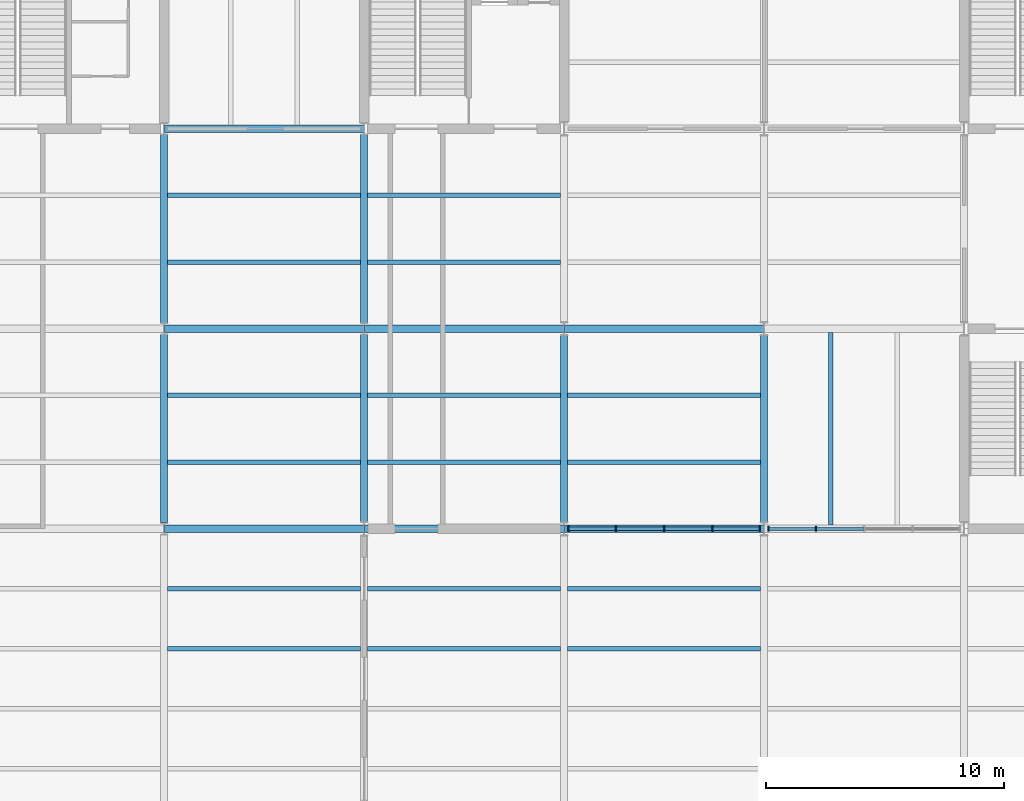
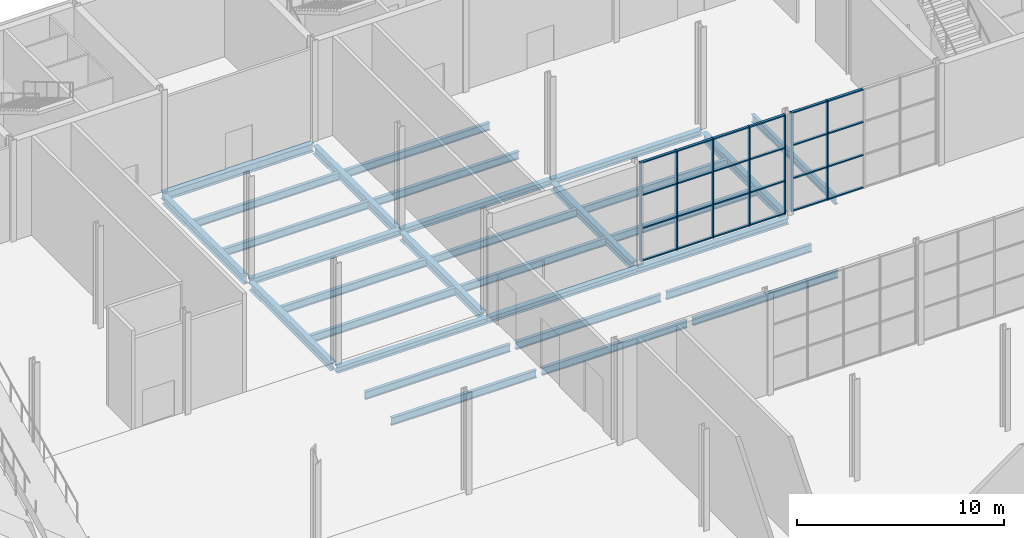
# One storey, part 23 of 55: 31 members, 30 beams, 2 elements without a shape of their own.
"""IFC4 building model written with IfcOpenShell, lengths in metres."""

from ifc_helpers import new_model, si_unit, direction, frame, origin, origin_2d, place, context, subcontext, project, spatial, rectangle, i_section, extrude, material, layer, layer_set, material_profile, profile_set, type_object, element, aggregate, save


model = new_model("IFC4")

# Units and contexts
model_context = context("Model", 3, precision=1e-05, world=origin(), true_north=direction((0.0, 1.0)))
body_context = subcontext(model_context, "Body", "Model", "MODEL_VIEW")
ifc_project = project(units=[si_unit("LENGTHUNIT", "METRE"), si_unit("AREAUNIT", "SQUARE_METRE"), si_unit("VOLUMEUNIT", "CUBIC_METRE"), si_unit("PLANEANGLEUNIT", "RADIAN"), si_unit("MASSUNIT", "GRAM", prefix="KILO")], contexts=[model_context])

# Site, building, storey
site_placement = place(None, origin())
site = spatial("IfcSite", under=ifc_project, at=site_placement, CompositionType="ELEMENT")
building_placement = place(site_placement, origin())
building = spatial("IfcBuilding", under=site, at=building_placement, Name="Galleria Vessillo Department Store", CompositionType="ELEMENT")
storey_placement = place(building_placement, origin())
storey = spatial("IfcBuildingStorey", under=building, at=storey_placement, Name="L00", CompositionType="ELEMENT", Elevation=0.0)

# Curtain wall, members
ifc_material_1 = material(Name="Aluminium and glass curtain wall", Category="aluminium")
ifc_layer = layer(ifc_material_1, 0.199951171875)
ifc_layer_set = layer_set([ifc_layer], Name="Aluminium and glass curtain wall")
curtain_wall_type = type_object("IfcCurtainWallType", Name="Arcade curtain wall CW1 2100 module", PredefinedType="NOTDEFINED", material=ifc_layer_set)
curtain_wall_1_placement = place(storey_placement, origin())
curtain_wall_1 = element("IfcCurtainWall", 1, at=curtain_wall_1_placement, inside=storey, type_object=curtain_wall_type, Name="Arcade curtain wall CW1 2100 module AI-AE-N-L00-01", PredefinedType="NOTDEFINED")
ifc_material_2 = material(Name="Aluminium alloy 6063 T6", Category="aluminium")
ifc_material_profile_1 = material_profile(ifc_material_2, rectangle(XDim=0.199951171875, YDim=0.06005859375, at=origin_2d()), Name="AL 60x200")
ifc_profile_set_1 = profile_set([ifc_material_profile_1], Name="Aluminium alloy 6063 T6")
member_type_1 = type_object("IfcMemberType", Name="Aluminium mullion 60 x 200", PredefinedType="MULLION", material=ifc_profile_set_1)
member_1_placement = place(storey_placement, frame((84.18310546875, 37.800048828125, 0.0), z_axis=(0.0, 0.0, 1.0), x_axis=(0.0, 1.0, 0.0)))
member_1 = element("IfcMember", 2, at=member_1_placement, type_object=member_type_1, Name="CW1 mullion 1", PredefinedType="MULLION", context=body_context, shape_type="SweptSolid", body=[
    extrude(rectangle(XDim=0.199951171875, YDim=0.06005859375, at=origin_2d()), origin(), (0.0, 0.0, 1.0), 5.85009765625),
])
member_2_placement = place(storey_placement, frame((86.176513671875, 37.800048828125, 0.0), z_axis=(0.0, 0.0, 1.0), x_axis=(0.0, 1.0, 0.0)))
member_2 = element("IfcMember", 3, at=member_2_placement, type_object=member_type_1, Name="CW1 mullion 2", PredefinedType="MULLION", context=body_context, shape_type="SweptSolid", body=[
    extrude(rectangle(XDim=0.199951171875, YDim=0.06005859375, at=origin_2d()), origin(), (0.0, 0.0, 1.0), 5.85009765625),
])
member_3_placement = place(storey_placement, frame((88.199951171875, 37.800048828125, 0.0), z_axis=(0.0, 0.0, 1.0), x_axis=(0.0, 1.0, 0.0)))
member_3 = element("IfcMember", 4, at=member_3_placement, type_object=member_type_1, Name="CW1 mullion 3", PredefinedType="MULLION", context=body_context, shape_type="SweptSolid", body=[
    extrude(rectangle(XDim=0.199951171875, YDim=0.06005859375, at=origin_2d()), origin(), (0.0, 0.0, 1.0), 5.85009765625),
])
member_4_placement = place(storey_placement, frame((90.223388671875, 37.800048828125, 0.0), z_axis=(0.0, 0.0, 1.0), x_axis=(0.0, 1.0, 0.0)))
member_4 = element("IfcMember", 5, at=member_4_placement, type_object=member_type_1, Name="CW1 mullion 4", PredefinedType="MULLION", context=body_context, shape_type="SweptSolid", body=[
    extrude(rectangle(XDim=0.199951171875, YDim=0.06005859375, at=origin_2d()), origin(), (0.0, 0.0, 1.0), 5.85009765625),
])
member_5_placement = place(storey_placement, frame((92.216796875, 37.800048828125, 0.0), z_axis=(0.0, 0.0, 1.0), x_axis=(0.0, 1.0, 0.0)))
member_5 = element("IfcMember", 6, at=member_5_placement, type_object=member_type_1, Name="CW1 mullion 5", PredefinedType="MULLION", context=body_context, shape_type="SweptSolid", body=[
    extrude(rectangle(XDim=0.199951171875, YDim=0.06005859375, at=origin_2d()), origin(), (0.0, 0.0, 1.0), 5.85009765625),
])

curtain_wall_2_placement = place(storey_placement, origin())
curtain_wall_2 = element("IfcCurtainWall", 7, at=curtain_wall_2_placement, inside=storey, type_object=curtain_wall_type, Name="Arcade curtain wall CW1 2100 module AI-AE-N-L00-02", PredefinedType="NOTDEFINED")
member_6_placement = place(storey_placement, frame((92.5830078125, 37.800048828125, 0.0), z_axis=(0.0, 0.0, 1.0), x_axis=(0.0, 1.0, 0.0)))
member_6 = element("IfcMember", 8, at=member_6_placement, type_object=member_type_1, Name="CW1 mullion 1", PredefinedType="MULLION", context=body_context, shape_type="SweptSolid", body=[
    extrude(rectangle(XDim=0.199951171875, YDim=0.06005859375, at=origin_2d()), origin(), (0.0, 0.0, 1.0), 5.85009765625),
])
member_7_placement = place(storey_placement, frame((94.576416015625, 37.800048828125, 0.0), z_axis=(0.0, 0.0, 1.0), x_axis=(0.0, 1.0, 0.0)))
member_7 = element("IfcMember", 9, at=member_7_placement, type_object=member_type_1, Name="CW1 mullion 2", PredefinedType="MULLION", context=body_context, shape_type="SweptSolid", body=[
    extrude(rectangle(XDim=0.199951171875, YDim=0.06005859375, at=origin_2d()), origin(), (0.0, 0.0, 1.0), 5.85009765625),
])

# Member
ifc_material_3 = material(Name="Aluminium alloy 6063 T6", Category="aluminium")
ifc_material_profile_2 = material_profile(ifc_material_3, rectangle(XDim=0.139892578125, YDim=0.070068359375, at=origin_2d()), Name="AL 70x140")
ifc_profile_set_2 = profile_set([ifc_material_profile_2], Name="Aluminium alloy 6063 T6")
member_type_2 = type_object("IfcMemberType", Name="Aluminium transom 70 x 140", PredefinedType="USERDEFINED", material=ifc_profile_set_2)
member_8_placement = place(storey_placement, frame((84.213134765625, 37.800048828125, 0.034912109375), z_axis=(1.0, 0.0, 0.0), x_axis=(0.0, 1.0, 0.0)))
member_8 = element("IfcMember", 10, at=member_8_placement, type_object=member_type_2, Name="CW1 transom 1.1", ObjectType="TRANSOM", PredefinedType="USERDEFINED", context=body_context, shape_type="SweptSolid", body=[
    extrude(rectangle(XDim=0.139892578125, YDim=0.070068359375, at=origin_2d()), origin(), (0.0, 0.0, 1.0), 1.933349609375),
])

member_9_placement = place(storey_placement, frame((84.213134765625, 37.800048828125, 1.949951171875), z_axis=(1.0, 0.0, 0.0), x_axis=(0.0, 1.0, 0.0)))
member_9 = element("IfcMember", 11, at=member_9_placement, type_object=member_type_2, Name="CW1 transom 1.2", ObjectType="TRANSOM", PredefinedType="USERDEFINED", context=body_context, shape_type="SweptSolid", body=[
    extrude(rectangle(XDim=0.139892578125, YDim=0.070068359375, at=origin_2d()), origin(), (0.0, 0.0, 1.0), 1.933349609375),
])

member_10_placement = place(storey_placement, frame((84.213134765625, 37.800048828125, 3.900146484375), z_axis=(1.0, 0.0, 0.0), x_axis=(0.0, 1.0, 0.0)))
member_10 = element("IfcMember", 12, at=member_10_placement, type_object=member_type_2, Name="CW1 transom 1.3", ObjectType="TRANSOM", PredefinedType="USERDEFINED", context=body_context, shape_type="SweptSolid", body=[
    extrude(rectangle(XDim=0.139892578125, YDim=0.070068359375, at=origin_2d()), origin(), (0.0, 0.0, 1.0), 1.933349609375),
])

member_11_placement = place(storey_placement, frame((84.213134765625, 37.800048828125, 5.815185546875), z_axis=(1.0, 0.0, 0.0), x_axis=(0.0, 1.0, 0.0)))
member_11 = element("IfcMember", 13, at=member_11_placement, type_object=member_type_2, Name="CW1 transom 1.4", ObjectType="TRANSOM", PredefinedType="USERDEFINED", context=body_context, shape_type="SweptSolid", body=[
    extrude(rectangle(XDim=0.139892578125, YDim=0.070068359375, at=origin_2d()), origin(), (0.0, 0.0, 1.0), 1.933349609375),
])

member_12_placement = place(storey_placement, frame((86.20654296875, 37.800048828125, 0.034912109375), z_axis=(1.0, 0.0, 0.0), x_axis=(0.0, 1.0, 0.0)))
member_12 = element("IfcMember", 14, at=member_12_placement, type_object=member_type_2, Name="CW1 transom 2.1", ObjectType="TRANSOM", PredefinedType="USERDEFINED", context=body_context, shape_type="SweptSolid", body=[
    extrude(rectangle(XDim=0.139892578125, YDim=0.070068359375, at=origin_2d()), origin(), (0.0, 0.0, 1.0), 1.96337890625),
])

member_13_placement = place(storey_placement, frame((86.20654296875, 37.800048828125, 1.949951171875), z_axis=(1.0, 0.0, 0.0), x_axis=(0.0, 1.0, 0.0)))
member_13 = element("IfcMember", 15, at=member_13_placement, type_object=member_type_2, Name="CW1 transom 2.2", ObjectType="TRANSOM", PredefinedType="USERDEFINED", context=body_context, shape_type="SweptSolid", body=[
    extrude(rectangle(XDim=0.139892578125, YDim=0.070068359375, at=origin_2d()), origin(), (0.0, 0.0, 1.0), 1.96337890625),
])

member_14_placement = place(storey_placement, frame((86.20654296875, 37.800048828125, 3.900146484375), z_axis=(1.0, 0.0, 0.0), x_axis=(0.0, 1.0, 0.0)))
member_14 = element("IfcMember", 16, at=member_14_placement, type_object=member_type_2, Name="CW1 transom 2.3", ObjectType="TRANSOM", PredefinedType="USERDEFINED", context=body_context, shape_type="SweptSolid", body=[
    extrude(rectangle(XDim=0.139892578125, YDim=0.070068359375, at=origin_2d()), origin(), (0.0, 0.0, 1.0), 1.96337890625),
])

member_15_placement = place(storey_placement, frame((86.20654296875, 37.800048828125, 5.815185546875), z_axis=(1.0, 0.0, 0.0), x_axis=(0.0, 1.0, 0.0)))
member_15 = element("IfcMember", 17, at=member_15_placement, type_object=member_type_2, Name="CW1 transom 2.4", ObjectType="TRANSOM", PredefinedType="USERDEFINED", context=body_context, shape_type="SweptSolid", body=[
    extrude(rectangle(XDim=0.139892578125, YDim=0.070068359375, at=origin_2d()), origin(), (0.0, 0.0, 1.0), 1.96337890625),
])

member_16_placement = place(storey_placement, frame((88.22998046875, 37.800048828125, 0.034912109375), z_axis=(1.0, 0.0, 0.0), x_axis=(0.0, 1.0, 0.0)))
member_16 = element("IfcMember", 18, at=member_16_placement, type_object=member_type_2, Name="CW1 transom 3.1", ObjectType="TRANSOM", PredefinedType="USERDEFINED", context=body_context, shape_type="SweptSolid", body=[
    extrude(rectangle(XDim=0.139892578125, YDim=0.070068359375, at=origin_2d()), origin(), (0.0, 0.0, 1.0), 1.96337890625),
])

member_17_placement = place(storey_placement, frame((88.22998046875, 37.800048828125, 1.949951171875), z_axis=(1.0, 0.0, 0.0), x_axis=(0.0, 1.0, 0.0)))
member_17 = element("IfcMember", 19, at=member_17_placement, type_object=member_type_2, Name="CW1 transom 3.2", ObjectType="TRANSOM", PredefinedType="USERDEFINED", context=body_context, shape_type="SweptSolid", body=[
    extrude(rectangle(XDim=0.139892578125, YDim=0.070068359375, at=origin_2d()), origin(), (0.0, 0.0, 1.0), 1.96337890625),
])

member_18_placement = place(storey_placement, frame((88.22998046875, 37.800048828125, 3.900146484375), z_axis=(1.0, 0.0, 0.0), x_axis=(0.0, 1.0, 0.0)))
member_18 = element("IfcMember", 20, at=member_18_placement, type_object=member_type_2, Name="CW1 transom 3.3", ObjectType="TRANSOM", PredefinedType="USERDEFINED", context=body_context, shape_type="SweptSolid", body=[
    extrude(rectangle(XDim=0.139892578125, YDim=0.070068359375, at=origin_2d()), origin(), (0.0, 0.0, 1.0), 1.96337890625),
])

member_19_placement = place(storey_placement, frame((88.22998046875, 37.800048828125, 5.815185546875), z_axis=(1.0, 0.0, 0.0), x_axis=(0.0, 1.0, 0.0)))
member_19 = element("IfcMember", 21, at=member_19_placement, type_object=member_type_2, Name="CW1 transom 3.4", ObjectType="TRANSOM", PredefinedType="USERDEFINED", context=body_context, shape_type="SweptSolid", body=[
    extrude(rectangle(XDim=0.139892578125, YDim=0.070068359375, at=origin_2d()), origin(), (0.0, 0.0, 1.0), 1.96337890625),
])

member_20_placement = place(storey_placement, frame((90.25341796875, 37.800048828125, 0.034912109375), z_axis=(1.0, 0.0, 0.0), x_axis=(0.0, 1.0, 0.0)))
member_20 = element("IfcMember", 22, at=member_20_placement, type_object=member_type_2, Name="CW1 transom 4.1", ObjectType="TRANSOM", PredefinedType="USERDEFINED", context=body_context, shape_type="SweptSolid", body=[
    extrude(rectangle(XDim=0.139892578125, YDim=0.070068359375, at=origin_2d()), origin(), (0.0, 0.0, 1.0), 1.933349609375),
])

member_21_placement = place(storey_placement, frame((90.25341796875, 37.800048828125, 1.949951171875), z_axis=(1.0, 0.0, 0.0), x_axis=(0.0, 1.0, 0.0)))
member_21 = element("IfcMember", 23, at=member_21_placement, type_object=member_type_2, Name="CW1 transom 4.2", ObjectType="TRANSOM", PredefinedType="USERDEFINED", context=body_context, shape_type="SweptSolid", body=[
    extrude(rectangle(XDim=0.139892578125, YDim=0.070068359375, at=origin_2d()), origin(), (0.0, 0.0, 1.0), 1.933349609375),
])

member_22_placement = place(storey_placement, frame((90.25341796875, 37.800048828125, 3.900146484375), z_axis=(1.0, 0.0, 0.0), x_axis=(0.0, 1.0, 0.0)))
member_22 = element("IfcMember", 24, at=member_22_placement, type_object=member_type_2, Name="CW1 transom 4.3", ObjectType="TRANSOM", PredefinedType="USERDEFINED", context=body_context, shape_type="SweptSolid", body=[
    extrude(rectangle(XDim=0.139892578125, YDim=0.070068359375, at=origin_2d()), origin(), (0.0, 0.0, 1.0), 1.933349609375),
])

member_23_placement = place(storey_placement, frame((90.25341796875, 37.800048828125, 5.815185546875), z_axis=(1.0, 0.0, 0.0), x_axis=(0.0, 1.0, 0.0)))
member_23 = element("IfcMember", 25, at=member_23_placement, type_object=member_type_2, Name="CW1 transom 4.4", ObjectType="TRANSOM", PredefinedType="USERDEFINED", context=body_context, shape_type="SweptSolid", body=[
    extrude(rectangle(XDim=0.139892578125, YDim=0.070068359375, at=origin_2d()), origin(), (0.0, 0.0, 1.0), 1.933349609375),
])

aggregate(curtain_wall_1, [member_1, member_2, member_3, member_4, member_5, member_8, member_9, member_10, member_11, member_12, member_13, member_14, member_15, member_16, member_17, member_18, member_19, member_20, member_21, member_22, member_23])

member_24_placement = place(storey_placement, frame((92.613037109375, 37.800048828125, 0.034912109375), z_axis=(1.0, 0.0, 0.0), x_axis=(0.0, 1.0, 0.0)))
member_24 = element("IfcMember", 26, at=member_24_placement, type_object=member_type_2, Name="CW1 transom 1.1", ObjectType="TRANSOM", PredefinedType="USERDEFINED", context=body_context, shape_type="SweptSolid", body=[
    extrude(rectangle(XDim=0.139892578125, YDim=0.070068359375, at=origin_2d()), origin(), (0.0, 0.0, 1.0), 1.933349609375),
])

member_25_placement = place(storey_placement, frame((92.613037109375, 37.800048828125, 1.949951171875), z_axis=(1.0, 0.0, 0.0), x_axis=(0.0, 1.0, 0.0)))
member_25 = element("IfcMember", 27, at=member_25_placement, type_object=member_type_2, Name="CW1 transom 1.2", ObjectType="TRANSOM", PredefinedType="USERDEFINED", context=body_context, shape_type="SweptSolid", body=[
    extrude(rectangle(XDim=0.139892578125, YDim=0.070068359375, at=origin_2d()), origin(), (0.0, 0.0, 1.0), 1.933349609375),
])

member_26_placement = place(storey_placement, frame((92.613037109375, 37.800048828125, 3.900146484375), z_axis=(1.0, 0.0, 0.0), x_axis=(0.0, 1.0, 0.0)))
member_26 = element("IfcMember", 28, at=member_26_placement, type_object=member_type_2, Name="CW1 transom 1.3", ObjectType="TRANSOM", PredefinedType="USERDEFINED", context=body_context, shape_type="SweptSolid", body=[
    extrude(rectangle(XDim=0.139892578125, YDim=0.070068359375, at=origin_2d()), origin(), (0.0, 0.0, 1.0), 1.933349609375),
])

member_27_placement = place(storey_placement, frame((92.613037109375, 37.800048828125, 5.815185546875), z_axis=(1.0, 0.0, 0.0), x_axis=(0.0, 1.0, 0.0)))
member_27 = element("IfcMember", 29, at=member_27_placement, type_object=member_type_2, Name="CW1 transom 1.4", ObjectType="TRANSOM", PredefinedType="USERDEFINED", context=body_context, shape_type="SweptSolid", body=[
    extrude(rectangle(XDim=0.139892578125, YDim=0.070068359375, at=origin_2d()), origin(), (0.0, 0.0, 1.0), 1.933349609375),
])

member_28_placement = place(storey_placement, frame((94.6064453125, 37.800048828125, 0.034912109375), z_axis=(1.0, 0.0, 0.0), x_axis=(0.0, 1.0, 0.0)))
member_28 = element("IfcMember", 30, at=member_28_placement, type_object=member_type_2, Name="CW1 transom 2.1", ObjectType="TRANSOM", PredefinedType="USERDEFINED", context=body_context, shape_type="SweptSolid", body=[
    extrude(rectangle(XDim=0.139892578125, YDim=0.070068359375, at=origin_2d()), origin(), (0.0, 0.0, 1.0), 1.963623046875),
])

member_29_placement = place(storey_placement, frame((94.6064453125, 37.800048828125, 1.949951171875), z_axis=(1.0, 0.0, 0.0), x_axis=(0.0, 1.0, 0.0)))
member_29 = element("IfcMember", 31, at=member_29_placement, type_object=member_type_2, Name="CW1 transom 2.2", ObjectType="TRANSOM", PredefinedType="USERDEFINED", context=body_context, shape_type="SweptSolid", body=[
    extrude(rectangle(XDim=0.139892578125, YDim=0.070068359375, at=origin_2d()), origin(), (0.0, 0.0, 1.0), 1.963623046875),
])

member_30_placement = place(storey_placement, frame((94.6064453125, 37.800048828125, 3.900146484375), z_axis=(1.0, 0.0, 0.0), x_axis=(0.0, 1.0, 0.0)))
member_30 = element("IfcMember", 32, at=member_30_placement, type_object=member_type_2, Name="CW1 transom 2.3", ObjectType="TRANSOM", PredefinedType="USERDEFINED", context=body_context, shape_type="SweptSolid", body=[
    extrude(rectangle(XDim=0.139892578125, YDim=0.070068359375, at=origin_2d()), origin(), (0.0, 0.0, 1.0), 1.963623046875),
])

member_31_placement = place(storey_placement, frame((94.6064453125, 37.800048828125, 5.815185546875), z_axis=(1.0, 0.0, 0.0), x_axis=(0.0, 1.0, 0.0)))
member_31 = element("IfcMember", 33, at=member_31_placement, type_object=member_type_2, Name="CW1 transom 2.4", ObjectType="TRANSOM", PredefinedType="USERDEFINED", context=body_context, shape_type="SweptSolid", body=[
    extrude(rectangle(XDim=0.139892578125, YDim=0.070068359375, at=origin_2d()), origin(), (0.0, 0.0, 1.0), 1.963623046875),
])

aggregate(curtain_wall_2, [member_6, member_7, member_24, member_25, member_26, member_27, member_28, member_29, member_30, member_31])

# Beams
ifc_material_4 = material(Name="Steel S355 J2", Category="steel")
ifc_material_profile_3 = material_profile(ifc_material_4, i_section(OverallWidth=0.300048828125, OverallDepth=0.489990234375, WebThickness=0.011962890625, FlangeThickness=0.02294921875, FilletRadius=0.027099609375, at=origin_2d()), Name="HEA 500")
ifc_profile_set_3 = profile_set([ifc_material_profile_3], Name="Steel S355 J2")
beam_type_1 = type_object("IfcBeamType", Name="Floor girder HEA 500", PredefinedType="BEAM", material=ifc_profile_set_3)
beam_1_placement = place(storey_placement, frame((67.207275390625, 54.60009765625, -0.39501953125), z_axis=(1.0, 0.0, 0.0), x_axis=(0.0, 1.0, 0.0)))
element("IfcBeam", 34, at=beam_1_placement, inside=storey, type_object=beam_type_1, Name="S-BM-L00-GI-x54600-67207", PredefinedType="BEAM", context=body_context, shape_type="SweptSolid", body=[
    extrude(i_section(OverallWidth=0.300048828125, OverallDepth=0.489990234375, WebThickness=0.011962890625, FlangeThickness=0.02294921875, FilletRadius=0.027099609375, at=origin_2d()), origin(), (0.0, 0.0, 1.0), 8.38525390625),
])
beam_2_placement = place(storey_placement, frame((67.199951171875, 38.06201171875, -0.39501953125), z_axis=(0.0, 1.0, 0.0), x_axis=(-1.0, 0.0, 0.0)))
element("IfcBeam", 35, at=beam_2_placement, inside=storey, type_object=beam_type_1, Name="S-BM-L00-GI-y67200-38062", PredefinedType="BEAM", context=body_context, shape_type="SweptSolid", body=[
    extrude(i_section(OverallWidth=0.300048828125, OverallDepth=0.489990234375, WebThickness=0.011962890625, FlangeThickness=0.02294921875, FilletRadius=0.027099609375, at=origin_2d()), origin(), (0.0, 0.0, 1.0), 7.887939453125),
])
beam_3_placement = place(storey_placement, frame((67.199951171875, 46.4501953125, -0.39501953125), z_axis=(0.0, 1.0, 0.0), x_axis=(-1.0, 0.0, 0.0)))
element("IfcBeam", 36, at=beam_3_placement, inside=storey, type_object=beam_type_1, Name="S-BM-L00-GI-y67200-46450", PredefinedType="BEAM", context=body_context, shape_type="SweptSolid", body=[
    extrude(i_section(OverallWidth=0.300048828125, OverallDepth=0.489990234375, WebThickness=0.011962890625, FlangeThickness=0.02294921875, FilletRadius=0.027099609375, at=origin_2d()), origin(), (0.0, 0.0, 1.0), 7.899658203125),
])
beam_4_placement = place(storey_placement, frame((75.60009765625, 38.110107421875, -0.39501953125), z_axis=(0.0, 1.0, 0.0), x_axis=(-1.0, 0.0, 0.0)))
element("IfcBeam", 37, at=beam_4_placement, inside=storey, type_object=beam_type_1, Name="S-BM-L00-GI-y75600-38110", PredefinedType="BEAM", context=body_context, shape_type="SweptSolid", body=[
    extrude(i_section(OverallWidth=0.300048828125, OverallDepth=0.489990234375, WebThickness=0.011962890625, FlangeThickness=0.02294921875, FilletRadius=0.027099609375, at=origin_2d()), origin(), (0.0, 0.0, 1.0), 7.83984375),
])
beam_5_placement = place(storey_placement, frame((75.60009765625, 46.4501953125, -0.39501953125), z_axis=(0.0, 1.0, 0.0), x_axis=(-1.0, 0.0, 0.0)))
element("IfcBeam", 38, at=beam_5_placement, inside=storey, type_object=beam_type_1, Name="S-BM-L00-GI-y75600-46450", PredefinedType="BEAM", context=body_context, shape_type="SweptSolid", body=[
    extrude(i_section(OverallWidth=0.300048828125, OverallDepth=0.489990234375, WebThickness=0.011962890625, FlangeThickness=0.02294921875, FilletRadius=0.027099609375, at=origin_2d()), origin(), (0.0, 0.0, 1.0), 7.899658203125),
])
for number, where, z_axis, x_axis, name in (
    (39, (84.0, 38.086181640625, -0.39501953125), (0.0, 1.0, 0.0), (-1.0, 0.0, 0.0), "S-BM-L00-GI-y84000-38086"),
    (40, (92.39990234375, 38.086181640625, -0.39501953125), (0.0, 1.0, 0.0), (-1.0, 0.0, 0.0), "S-BM-L00-GI-y92400-38086"),
):
    element("IfcBeam", number, at=place(storey_placement, frame(where, z_axis=z_axis, x_axis=x_axis)), inside=storey, type_object=beam_type_1, Name=name, PredefinedType="BEAM", context=body_context, shape_type="SweptSolid", body=[
        extrude(i_section(OverallWidth=0.300048828125, OverallDepth=0.489990234375, WebThickness=0.011962890625, FlangeThickness=0.02294921875, FilletRadius=0.027099609375, at=origin_2d()), origin(), (0.0, 0.0, 1.0), 7.82763671875),
    ])
ifc_material_5 = material(Name="Steel S355 J2", Category="steel")
ifc_material_profile_4 = material_profile(ifc_material_5, i_section(OverallWidth=0.18994140625, OverallDepth=0.449951171875, WebThickness=0.009521484375, FlangeThickness=0.0146484375, FilletRadius=0.02099609375, at=origin_2d()), Name="IPE 450")
ifc_profile_set_4 = profile_set([ifc_material_profile_4], Name="Steel S355 J2")
beam_type_2 = type_object("IfcBeamType", Name="Floor joist IPE 450", PredefinedType="JOIST", material=ifc_profile_set_4)
for number, where, z_axis, x_axis, name in (
    (41, (67.35009765625, 32.760009765625, -0.47509765625), (1.0, 0.0, 0.0), (0.0, 1.0, 0.0), "S-BM-L00-JO-x32760-67350"),
    (42, (67.35009765625, 35.280029296875, -0.47509765625), (1.0, 0.0, 0.0), (0.0, 1.0, 0.0), "S-BM-L00-JO-x35280-67350"),
    (43, (67.35009765625, 40.60009765625, -0.375), (1.0, 0.0, 0.0), (0.0, 1.0, 0.0), "S-BM-L00-JO-x40600-67350"),
    (44, (67.35009765625, 43.39990234375, -0.375), (1.0, 0.0, 0.0), (0.0, 1.0, 0.0), "S-BM-L00-JO-x43400-67350"),
    (45, (67.35009765625, 49.0, -0.375), (1.0, 0.0, 0.0), (0.0, 1.0, 0.0), "S-BM-L00-JO-x49000-67350"),
    (46, (67.35009765625, 51.800048828125, -0.375), (1.0, 0.0, 0.0), (0.0, 1.0, 0.0), "S-BM-L00-JO-x51800-67350"),
):
    element("IfcBeam", number, at=place(storey_placement, frame(where, z_axis=z_axis, x_axis=x_axis)), inside=storey, type_object=beam_type_2, Name=name, PredefinedType="JOIST", context=body_context, shape_type="SweptSolid", body=[
        extrude(i_section(OverallWidth=0.18994140625, OverallDepth=0.449951171875, WebThickness=0.009521484375, FlangeThickness=0.0146484375, FilletRadius=0.02099609375, at=origin_2d()), origin(), (0.0, 0.0, 1.0), 8.099853515625),
    ])
for number, where, z_axis, x_axis, name in (
    (47, (75.750244140625, 32.760009765625, -0.47509765625), (1.0, 0.0, 0.0), (0.0, 1.0, 0.0), "S-BM-L00-JO-x32760-75750"),
    (48, (75.750244140625, 35.280029296875, -0.47509765625), (1.0, 0.0, 0.0), (0.0, 1.0, 0.0), "S-BM-L00-JO-x35280-75750"),
    (49, (75.750244140625, 40.60009765625, -0.375), (1.0, 0.0, 0.0), (0.0, 1.0, 0.0), "S-BM-L00-JO-x40600-75750"),
    (50, (75.750244140625, 43.39990234375, -0.375), (1.0, 0.0, 0.0), (0.0, 1.0, 0.0), "S-BM-L00-JO-x43400-75750"),
    (51, (75.750244140625, 49.0, -0.375), (1.0, 0.0, 0.0), (0.0, 1.0, 0.0), "S-BM-L00-JO-x49000-75750"),
    (52, (75.750244140625, 51.800048828125, -0.375), (1.0, 0.0, 0.0), (0.0, 1.0, 0.0), "S-BM-L00-JO-x51800-75750"),
    (53, (84.150146484375, 32.760009765625, -0.47509765625), (1.0, 0.0, 0.0), (0.0, 1.0, 0.0), "S-BM-L00-JO-x32760-84150"),
    (54, (84.150146484375, 35.280029296875, -0.47509765625), (1.0, 0.0, 0.0), (0.0, 1.0, 0.0), "S-BM-L00-JO-x35280-84150"),
    (55, (84.150146484375, 40.60009765625, -0.375), (1.0, 0.0, 0.0), (0.0, 1.0, 0.0), "S-BM-L00-JO-x40600-84150"),
    (56, (84.150146484375, 43.39990234375, -0.375), (1.0, 0.0, 0.0), (0.0, 1.0, 0.0), "S-BM-L00-JO-x43400-84150"),
    (57, (95.199951171875, 37.9501953125, -0.375), (0.0, 1.0, 0.0), (-1.0, 0.0, 0.0), "S-BM-L00-JO-y95200-37950"),
):
    element("IfcBeam", number, at=place(storey_placement, frame(where, z_axis=z_axis, x_axis=x_axis)), inside=storey, type_object=beam_type_2, Name=name, PredefinedType="JOIST", context=body_context, shape_type="SweptSolid", body=[
        extrude(i_section(OverallWidth=0.18994140625, OverallDepth=0.449951171875, WebThickness=0.009521484375, FlangeThickness=0.0146484375, FilletRadius=0.02099609375, at=origin_2d()), origin(), (0.0, 0.0, 1.0), 8.099609375),
    ])
ifc_material_6 = material(Name="Steel S355 J2", Category="steel")
ifc_material_profile_5 = material_profile(ifc_material_6, i_section(OverallWidth=0.300048828125, OverallDepth=0.35009765625, WebThickness=0.010009765625, FlangeThickness=0.017578125, FilletRadius=0.027099609375, at=origin_2d()), Name="HEA 360")
ifc_profile_set_5 = profile_set([ifc_material_profile_5], Name="Steel S355 J2")
beam_type_3 = type_object("IfcBeamType", Name="Floor tie girder HEA 360", PredefinedType="BEAM", material=ifc_profile_set_5)
for number, where, z_axis, x_axis, name in (
    (58, (67.210693359375, 37.800048828125, -0.425048828125), (1.0, 0.0, 0.0), (0.0, 1.0, 0.0), "S-BM-L00-TI-x37800-67211"),
    (59, (75.610595703125, 37.800048828125, -0.425048828125), (1.0, 0.0, 0.0), (0.0, 1.0, 0.0), "S-BM-L00-TI-x37800-75611"),
    (60, (84.0107421875, 37.800048828125, -0.425048828125), (1.0, 0.0, 0.0), (0.0, 1.0, 0.0), "S-BM-L00-TI-x37800-84011"),
):
    element("IfcBeam", number, at=place(storey_placement, frame(where, z_axis=z_axis, x_axis=x_axis)), inside=storey, type_object=beam_type_3, Name=name, PredefinedType="BEAM", context=body_context, shape_type="SweptSolid", body=[
        extrude(i_section(OverallWidth=0.300048828125, OverallDepth=0.35009765625, WebThickness=0.010009765625, FlangeThickness=0.017578125, FilletRadius=0.027099609375, at=origin_2d()), origin(), (0.0, 0.0, 1.0), 8.378662109375),
    ])
beam_6_placement = place(storey_placement, frame((67.207275390625, 46.199951171875, -0.324951171875), z_axis=(1.0, 0.0, 0.0), x_axis=(0.0, 1.0, 0.0)))
element("IfcBeam", 61, at=beam_6_placement, inside=storey, type_object=beam_type_3, Name="S-BM-L00-TI-x46200-67207", PredefinedType="BEAM", context=body_context, shape_type="SweptSolid", body=[
    extrude(i_section(OverallWidth=0.300048828125, OverallDepth=0.35009765625, WebThickness=0.010009765625, FlangeThickness=0.017578125, FilletRadius=0.027099609375, at=origin_2d()), origin(), (0.0, 0.0, 1.0), 8.38525390625),
])
beam_7_placement = place(storey_placement, frame((75.607421875, 46.199951171875, -0.324951171875), z_axis=(1.0, 0.0, 0.0), x_axis=(0.0, 1.0, 0.0)))
element("IfcBeam", 62, at=beam_7_placement, inside=storey, type_object=beam_type_3, Name="S-BM-L00-TI-x46200-75607", PredefinedType="BEAM", context=body_context, shape_type="SweptSolid", body=[
    extrude(i_section(OverallWidth=0.300048828125, OverallDepth=0.35009765625, WebThickness=0.010009765625, FlangeThickness=0.017578125, FilletRadius=0.027099609375, at=origin_2d()), origin(), (0.0, 0.0, 1.0), 8.3818359375),
])
beam_8_placement = place(storey_placement, frame((84.0107421875, 46.199951171875, -0.324951171875), z_axis=(1.0, 0.0, 0.0), x_axis=(0.0, 1.0, 0.0)))
element("IfcBeam", 63, at=beam_8_placement, inside=storey, type_object=beam_type_3, Name="S-BM-L00-TI-x46200-84011", PredefinedType="BEAM", context=body_context, shape_type="SweptSolid", body=[
    extrude(i_section(OverallWidth=0.300048828125, OverallDepth=0.35009765625, WebThickness=0.010009765625, FlangeThickness=0.017578125, FilletRadius=0.027099609375, at=origin_2d()), origin(), (0.0, 0.0, 1.0), 8.378662109375),
])

save(model, "model.ifc")
